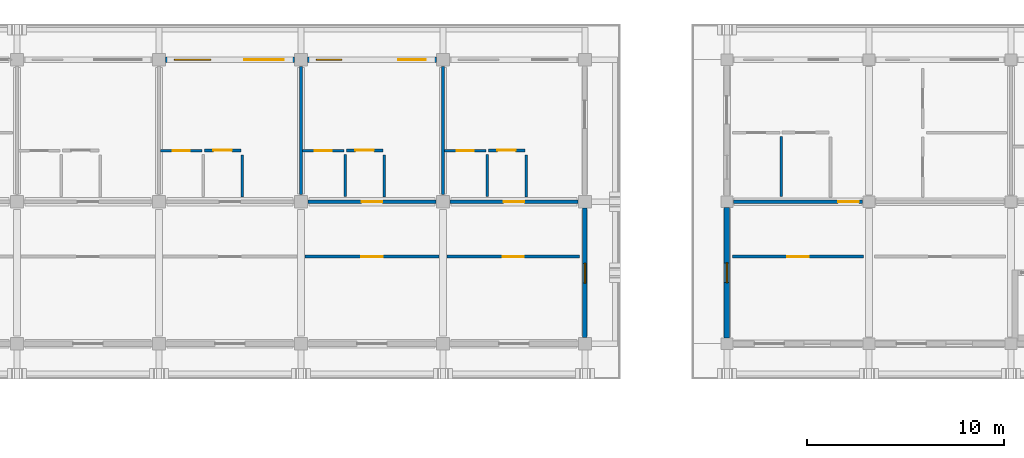
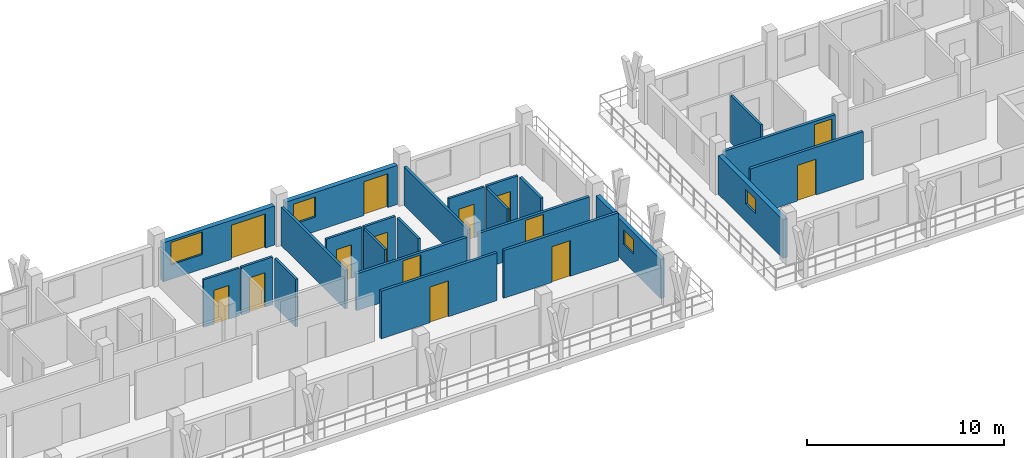
# One storey, part 126 of 157: 24 walls, 14 doors, 4 windows, 18 openings.
"""IFC4 building model written with IfcOpenShell, lengths in metres."""

from ifc_helpers import new_model, si_unit, direction, frame, frame_2d, origin, place, context, subcontext, project, spatial, rectangle, extrude, material, layer, layer_set, type_object, element, fill, save


model = new_model("IFC4")

# Units and contexts
model_context = context("Model", 3, precision=1e-05, world=origin(), true_north=direction((0.0, 1.0)))
body_context = subcontext(model_context, "Body", "Model", "MODEL_VIEW")
ifc_project = project(units=[si_unit("LENGTHUNIT", "METRE"), si_unit("AREAUNIT", "SQUARE_METRE"), si_unit("VOLUMEUNIT", "CUBIC_METRE"), si_unit("PLANEANGLEUNIT", "RADIAN"), si_unit("MASSUNIT", "GRAM", prefix="KILO")], contexts=[model_context])

# Site, building, storey
site_placement = place(None, origin())
site = spatial("IfcSite", under=ifc_project, at=site_placement, CompositionType="ELEMENT")
building_placement = place(site_placement, origin())
building = spatial("IfcBuilding", under=site, at=building_placement, Name="Suanplinth Sawtooth Commons", CompositionType="ELEMENT")
storey_placement = place(building_placement, frame((0.0, 0.0, 9.0)))
storey = spatial("IfcBuildingStorey", under=building, at=storey_placement, Name="L02", CompositionType="ELEMENT", Elevation=9.0)

# Wall, openings, door, window
ifc_material_1 = material(Name="Precast concrete C40/50", Category="concrete")
ifc_layer_1 = layer(ifc_material_1, 0.280029296875, Name="Insulated precast architectural facade wall 280mm")
ifc_layer_set_1 = layer_set([ifc_layer_1], Name="Precast concrete C40/50")
wall_type_1 = type_object("IfcWallType", Name="W-EX01", PredefinedType="ELEMENTEDWALL", material=ifc_layer_set_1)
wall_1_placement = place(storey_placement, frame((93.925048828125, 122.39990234375, 0.0), z_axis=(0.0, 0.0, 1.0), x_axis=(1.0, 0.0, 0.0)))
wall_1 = element("IfcWall", 1, at=wall_1_placement, inside=storey, type_object=wall_type_1, Name="Facade Wall W-L02-A-N-13", PredefinedType="ELEMENTEDWALL", context=body_context, shape_type="SweptSolid", body=[
    extrude(rectangle(XDim=6.550048828125, YDim=0.280029296875, at=frame_2d((3.27490234375, 0.0))), origin(), (0.0, 0.0, 1.0), 2.425048828125),
])
opening_1_placement = place(wall_1_placement, frame((4.0, 0.0, 0.0)))
opening_1 = element("IfcOpeningElement", 2, at=opening_1_placement, cuts=wall_1, Name="Opening ED0147", PredefinedType="OPENING", context=body_context, shape_type="SweptSolid", body=[
    extrude(rectangle(XDim=2.0, YDim=2.1201171875, at=frame_2d((1.0, 1.06005859375))), frame((0.0, 0.15478515625, 0.0), z_axis=(0.0, -1.0, 0.0), x_axis=(1.0, 0.0, 0.0)), (0.0, 0.0, 1.0), 0.309814453125),
])
opening_2_placement = place(wall_1_placement, frame((0.449951171875, 0.0, 0.89990234375)))
opening_2 = element("IfcOpeningElement", 3, at=opening_2_placement, cuts=wall_1, Name="Opening W0263", PredefinedType="OPENING", context=body_context, shape_type="SweptSolid", body=[
    extrude(rectangle(XDim=1.85009765625, YDim=1.39990234375, at=frame_2d((0.925048828125, 0.699951171875))), frame((0.0, 0.15478515625, 0.0), z_axis=(0.0, -1.0, 0.0), x_axis=(1.0, 0.0, 0.0)), (0.0, 0.0, 1.0), 0.309814453125),
])
ifc_material_2 = material(Name="Anodized aluminium and low-E glass", Category="aluminium")
door_type_1 = type_object("IfcDoorType", Name="SD-06", OperationType="DOUBLE_DOOR_SLIDING", PredefinedType="DOOR", material=ifc_material_2)
door_1_placement = place(opening_1_placement, frame((2.0, 0.0, 0.0), z_axis=(0.0, 0.0, 1.0), x_axis=(-1.0, 0.0, 0.0)))
door_1 = element("IfcDoor", 4, at=door_1_placement, inside=storey, type_object=door_type_1, Name="Balcony Sliding Door L02-A-N-13", OperationType="DOUBLE_DOOR_SLIDING", OverallHeight=2.1201171875, OverallWidth=2.0, PredefinedType="DOOR", context=body_context, shape_type="SweptSolid", body=[
    extrude(rectangle(XDim=2.0, YDim=2.1201171875, at=frame_2d((1.0, 1.06005859375))), frame((0.0, 0.02490234375, 0.0), z_axis=(0.0, -1.0, 0.0), x_axis=(1.0, 0.0, 0.0)), (0.0, 0.0, 1.0), 0.050048828125),
])
fill(opening_1, door_1)
ifc_material_3 = material(Name="Thermally broken aluminium and low-E double glazing", Category="aluminium")
window_type_1 = type_object("IfcWindowType", Name="WN-23", PartitioningType="DOUBLE_PANEL_VERTICAL", PredefinedType="WINDOW", material=ifc_material_3)
window_1_placement = place(opening_2_placement, origin())
window_1 = element("IfcWindow", 5, at=window_1_placement, inside=storey, type_object=window_type_1, Name="Window L02-A-N-13", OverallHeight=1.39990234375, OverallWidth=1.85009765625, PartitioningType="DOUBLE_PANEL_VERTICAL", PredefinedType="WINDOW", context=body_context, shape_type="SweptSolid", body=[
    extrude(rectangle(XDim=1.85009765625, YDim=1.39990234375, at=frame_2d((0.925048828125, 0.699951171875))), frame((0.0, 0.030029296875, 0.0), z_axis=(0.0, -1.0, 0.0), x_axis=(1.0, 0.0, 0.0)), (0.0, 0.0, 1.0), 0.06005859375),
])
fill(opening_2, window_1)

wall_2_placement = place(storey_placement, frame((101.125, 122.39990234375, 0.0), z_axis=(0.0, 0.0, 1.0), x_axis=(1.0, 0.0, 0.0)))
wall_2 = element("IfcWall", 6, at=wall_2_placement, inside=storey, type_object=wall_type_1, Name="Facade Wall W-L02-A-N-14", PredefinedType="ELEMENTEDWALL", context=body_context, shape_type="SweptSolid", body=[
    extrude(rectangle(XDim=6.550048828125, YDim=0.280029296875, at=frame_2d((3.27490234375, 0.0))), origin(), (0.0, 0.0, 1.0), 2.425048828125),
])
opening_3_placement = place(wall_2_placement, frame((4.60009765625, 0.0, 0.0)))
opening_3 = element("IfcOpeningElement", 7, at=opening_3_placement, cuts=wall_2, Name="Opening ED0149", PredefinedType="OPENING", context=body_context, shape_type="SweptSolid", body=[
    extrude(rectangle(XDim=1.39990234375, YDim=2.10009765625, at=frame_2d((0.699951171875, 1.050048828125))), frame((0.0, 0.15478515625, 0.0), z_axis=(0.0, -1.0, 0.0), x_axis=(1.0, 0.0, 0.0)), (0.0, 0.0, 1.0), 0.309814453125),
])
opening_4_placement = place(wall_2_placement, frame((0.449951171875, 0.0, 0.89990234375)))
opening_4 = element("IfcOpeningElement", 8, at=opening_4_placement, cuts=wall_2, Name="Opening W0264", PredefinedType="OPENING", context=body_context, shape_type="SweptSolid", body=[
    extrude(rectangle(XDim=1.300048828125, YDim=1.25, at=frame_2d((0.64990234375, 0.625))), frame((0.0, 0.15478515625, 0.0), z_axis=(0.0, -1.0, 0.0), x_axis=(1.0, 0.0, 0.0)), (0.0, 0.0, 1.0), 0.309814453125),
])
door_type_2 = type_object("IfcDoorType", Name="SD-07", OperationType="SLIDING_TO_RIGHT", PredefinedType="DOOR", material=ifc_material_2)
door_2_placement = place(opening_3_placement, frame((1.39990234375, 0.0, 0.0), z_axis=(0.0, 0.0, 1.0), x_axis=(-1.0, 0.0, 0.0)))
door_2 = element("IfcDoor", 9, at=door_2_placement, inside=storey, type_object=door_type_2, Name="Balcony Sliding Door L02-A-N-14", OperationType="SLIDING_TO_RIGHT", OverallHeight=2.10009765625, OverallWidth=1.39990234375, PredefinedType="DOOR", context=body_context, shape_type="SweptSolid", body=[
    extrude(rectangle(XDim=1.39990234375, YDim=2.10009765625, at=frame_2d((0.699951171875, 1.050048828125))), frame((0.0, 0.02490234375, 0.0), z_axis=(0.0, -1.0, 0.0), x_axis=(1.0, 0.0, 0.0)), (0.0, 0.0, 1.0), 0.050048828125),
])
fill(opening_3, door_2)
window_type_2 = type_object("IfcWindowType", Name="WN-24", PartitioningType="SINGLE_PANEL", PredefinedType="WINDOW", material=ifc_material_3)
window_2_placement = place(opening_4_placement, origin())
window_2 = element("IfcWindow", 10, at=window_2_placement, inside=storey, type_object=window_type_2, Name="Window L02-A-N-14", OverallHeight=1.25, OverallWidth=1.300048828125, PartitioningType="SINGLE_PANEL", PredefinedType="WINDOW", context=body_context, shape_type="SweptSolid", body=[
    extrude(rectangle(XDim=1.300048828125, YDim=1.25, at=frame_2d((0.64990234375, 0.625))), frame((0.0, 0.030029296875, 0.0), z_axis=(0.0, -1.0, 0.0), x_axis=(1.0, 0.0, 0.0)), (0.0, 0.0, 1.0), 0.06005859375),
])
fill(opening_4, window_2)

# Wall, opening, window
wall_3_placement = place(storey_placement, frame((122.39990234375, 108.300048828125, 0.0), z_axis=(0.0, 0.0, 1.0), x_axis=(0.0, 1.0, 0.0)))
wall_3 = element("IfcWall", 11, at=wall_3_placement, inside=storey, type_object=wall_type_1, Name="Facade Wall W-L02-B-W-17-15", PredefinedType="ELEMENTEDWALL", context=body_context, shape_type="SweptSolid", body=[
    extrude(rectangle(XDim=6.599853515625, YDim=0.280029296875, at=frame_2d((3.2998046875, 0.0))), origin(), (0.0, 0.0, 1.0), 2.39501953125),
])
opening_5_placement = place(wall_3_placement, frame((2.800048828125, 0.0, 1.10009765625)))
opening_5 = element("IfcOpeningElement", 12, at=opening_5_placement, cuts=wall_3, Name="Opening W0269", PredefinedType="OPENING", context=body_context, shape_type="SweptSolid", body=[
    extrude(rectangle(XDim=1.0, YDim=0.89990234375, at=frame_2d((0.5, 0.449951171875))), frame((0.0, 0.15478515625, 0.0), z_axis=(0.0, -1.0, 0.0), x_axis=(1.0, 0.0, 0.0)), (0.0, 0.0, 1.0), 0.309814453125),
])
window_type_3 = type_object("IfcWindowType", Name="WN-12", PartitioningType="SINGLE_PANEL", PredefinedType="WINDOW", material=ifc_material_3)
window_3_placement = place(opening_5_placement, origin())
window_3 = element("IfcWindow", 13, at=window_3_placement, inside=storey, type_object=window_type_3, Name="End Window L02-B-W-17-15", OverallHeight=0.89990234375, OverallWidth=1.0, PartitioningType="SINGLE_PANEL", PredefinedType="WINDOW", context=body_context, shape_type="SweptSolid", body=[
    extrude(rectangle(XDim=1.0, YDim=0.89990234375, at=frame_2d((0.5, 0.449951171875))), frame((0.0, 0.030029296875, 0.0), z_axis=(0.0, -1.0, 0.0), x_axis=(1.0, 0.0, 0.0)), (0.0, 0.0, 1.0), 0.06005859375),
])
fill(opening_5, window_3)

ifc_layer_2 = layer(ifc_material_1, 0.22998046875, Name="Stepped terrace insulated precast wall 230mm")
ifc_layer_set_2 = layer_set([ifc_layer_2], Name="Precast concrete C40/50")
wall_type_2 = type_object("IfcWallType", Name="W-EX06", PredefinedType="ELEMENTEDWALL", material=ifc_layer_set_2)
wall_4_placement = place(storey_placement, frame((115.199951171875, 108.324951171875, 0.0), z_axis=(0.0, 0.0, 1.0), x_axis=(0.0, 1.0, 0.0)))
wall_4 = element("IfcWall", 14, at=wall_4_placement, inside=storey, type_object=wall_type_2, Name="End Wall W-L02-A-E-15", PredefinedType="ELEMENTEDWALL", context=body_context, shape_type="SweptSolid", body=[
    extrude(rectangle(XDim=6.550048828125, YDim=0.22998046875, at=frame_2d((3.27490234375, 0.0))), origin(), (0.0, 0.0, 1.0), 2.425048828125),
])
opening_6_placement = place(wall_4_placement, frame((2.75, 0.0, 1.10009765625)))
opening_6 = element("IfcOpeningElement", 15, at=opening_6_placement, cuts=wall_4, Name="Opening W0267", PredefinedType="OPENING", context=body_context, shape_type="SweptSolid", body=[
    extrude(rectangle(XDim=1.0, YDim=0.89990234375, at=frame_2d((0.5, 0.449951171875))), frame((0.0, 0.1298828125, 0.0), z_axis=(0.0, -1.0, 0.0), x_axis=(1.0, 0.0, 0.0)), (0.0, 0.0, 1.0), 0.259765625),
])
window_4_placement = place(opening_6_placement, origin())
window_4 = element("IfcWindow", 16, at=window_4_placement, inside=storey, type_object=window_type_3, Name="End Window L02-A-E-15", OverallHeight=0.89990234375, OverallWidth=1.0, PartitioningType="SINGLE_PANEL", PredefinedType="WINDOW", context=body_context, shape_type="SweptSolid", body=[
    extrude(rectangle(XDim=1.0, YDim=0.89990234375, at=frame_2d((0.5, 0.449951171875))), frame((0.0, 0.030029296875, 0.0), z_axis=(0.0, -1.0, 0.0), x_axis=(1.0, 0.0, 0.0)), (0.0, 0.0, 1.0), 0.06005859375),
])
fill(opening_6, window_4)

# Wall, opening, door
ifc_layer_3 = layer(ifc_material_1, 0.159912109375, Name="Fire-rated corridor and lobby wall 160mm")
ifc_layer_set_3 = layer_set([ifc_layer_3], Name="Precast concrete C40/50")
wall_type_3 = type_object("IfcWallType", Name="W-FW01", PredefinedType="PARTITIONING", material=ifc_layer_set_3)
wall_5_placement = place(storey_placement, frame((101.155029296875, 115.199951171875, 0.0), z_axis=(0.0, 0.0, 1.0), x_axis=(1.0, 0.0, 0.0)))
wall_5 = element("IfcWall", 17, at=wall_5_placement, inside=storey, type_object=wall_type_3, Name="W-A-L02-U12-COR", PredefinedType="PARTITIONING", context=body_context, shape_type="SweptSolid", body=[
    extrude(rectangle(XDim=6.489990234375, YDim=0.159912109375, at=frame_2d((3.2451171875, 0.0))), origin(), (0.0, 0.0, 1.0), 2.294921875),
])
opening_7_placement = place(wall_5_placement, frame((2.719970703125, 0.0, 0.0)))
opening_7 = element("IfcOpeningElement", 18, at=opening_7_placement, cuts=wall_5, Name="Opening FD0727", PredefinedType="OPENING", context=body_context, shape_type="SweptSolid", body=[
    extrude(rectangle(XDim=1.050048828125, YDim=2.14990234375, at=frame_2d((0.52490234375, 1.074951171875))), frame((0.0, 0.0947265625, 0.0), z_axis=(0.0, -1.0, 0.0), x_axis=(1.0, 0.0, 0.0)), (0.0, 0.0, 1.0), 0.189697265625),
])
ifc_material_4 = material(Name="Teak hardwood fire-rated door assembly", Category="wood")
door_type_3 = type_object("IfcDoorType", Name="FD-04", OperationType="NOTDEFINED", PredefinedType="DOOR", material=ifc_material_4)
door_3_placement = place(opening_7_placement, origin())
door_3 = element("IfcDoor", 19, at=door_3_placement, inside=storey, type_object=door_type_3, Name="Unit Entrance Door FD0727", OperationType="SINGLE_SWING_LEFT", OverallHeight=2.14990234375, OverallWidth=1.050048828125, PredefinedType="DOOR", context=body_context, shape_type="SweptSolid", body=[
    extrude(rectangle(XDim=1.050048828125, YDim=2.14990234375, at=frame_2d((0.52490234375, 1.074951171875))), frame((0.0, 0.02490234375, 0.0), z_axis=(0.0, -1.0, 0.0), x_axis=(1.0, 0.0, 0.0)), (0.0, 0.0, 1.0), 0.050048828125),
])
fill(opening_7, door_3)

wall_6_placement = place(storey_placement, frame((108.35498046875, 115.199951171875, 0.0), z_axis=(0.0, 0.0, 1.0), x_axis=(1.0, 0.0, 0.0)))
wall_6 = element("IfcWall", 20, at=wall_6_placement, inside=storey, type_object=wall_type_3, Name="W-A-L02-U13-COR", PredefinedType="PARTITIONING", context=body_context, shape_type="SweptSolid", body=[
    extrude(rectangle(XDim=6.489990234375, YDim=0.159912109375, at=frame_2d((3.2451171875, 0.0))), origin(), (0.0, 0.0, 1.0), 2.294921875),
])
opening_8_placement = place(wall_6_placement, frame((2.719970703125, 0.0, 0.0)))
opening_8 = element("IfcOpeningElement", 21, at=opening_8_placement, cuts=wall_6, Name="Opening FD0730", PredefinedType="OPENING", context=body_context, shape_type="SweptSolid", body=[
    extrude(rectangle(XDim=1.050048828125, YDim=2.14990234375, at=frame_2d((0.52490234375, 1.074951171875))), frame((0.0, 0.0947265625, 0.0), z_axis=(0.0, -1.0, 0.0), x_axis=(1.0, 0.0, 0.0)), (0.0, 0.0, 1.0), 0.189697265625),
])
door_4_placement = place(opening_8_placement, origin())
door_4 = element("IfcDoor", 22, at=door_4_placement, inside=storey, type_object=door_type_3, Name="Unit Entrance Door FD0730", OperationType="SINGLE_SWING_RIGHT", OverallHeight=2.14990234375, OverallWidth=1.050048828125, PredefinedType="DOOR", context=body_context, shape_type="SweptSolid", body=[
    extrude(rectangle(XDim=1.050048828125, YDim=2.14990234375, at=frame_2d((0.52490234375, 1.074951171875))), frame((0.0, 0.02490234375, 0.0), z_axis=(0.0, -1.0, 0.0), x_axis=(1.0, 0.0, 0.0)), (0.0, 0.0, 1.0), 0.050048828125),
])
fill(opening_8, door_4)

wall_7_placement = place(storey_placement, frame((101.0, 112.419921875, 0.0), z_axis=(0.0, 0.0, 1.0), x_axis=(1.0, 0.0, 0.0)))
wall_7 = element("IfcWall", 23, at=wall_7_placement, inside=storey, type_object=wall_type_3, Name="W-A-L02-COURTROOM-23-COR", PredefinedType="PARTITIONING", context=body_context, shape_type="SweptSolid", body=[
    extrude(rectangle(XDim=6.800048828125, YDim=0.159912109375, at=frame_2d((3.39990234375, 0.0))), origin(), (0.0, 0.0, 1.0), 2.9599609375),
])
opening_9_placement = place(wall_7_placement, frame((2.860107421875, 0.0, 0.0)))
opening_9 = element("IfcOpeningElement", 24, at=opening_9_placement, cuts=wall_7, Name="Opening D0743", PredefinedType="OPENING", context=body_context, shape_type="SweptSolid", body=[
    extrude(rectangle(XDim=1.080078125, YDim=2.219970703125, at=frame_2d((0.5400390625, 1.10986328125))), frame((0.0, 0.0947265625, 0.0), z_axis=(0.0, -1.0, 0.0), x_axis=(1.0, 0.0, 0.0)), (0.0, 0.0, 1.0), 0.189697265625),
])
ifc_material_5 = material(Name="Teak hardwood", Category="wood")
door_type_4 = type_object("IfcDoorType", Name="D-17", OperationType="NOTDEFINED", PredefinedType="DOOR", material=ifc_material_5)
door_5_placement = place(opening_9_placement, frame((1.080078125, 0.0, 0.0), z_axis=(0.0, 0.0, 1.0), x_axis=(-1.0, 0.0, 0.0)))
door_5 = element("IfcDoor", 25, at=door_5_placement, inside=storey, type_object=door_type_4, Name="Study Studio Door D0743", OperationType="SINGLE_SWING_LEFT", OverallHeight=2.219970703125, OverallWidth=1.080078125, PredefinedType="DOOR", context=body_context, shape_type="SweptSolid", body=[
    extrude(rectangle(XDim=1.080078125, YDim=2.219970703125, at=frame_2d((0.5400390625, 1.10986328125))), frame((0.0, 0.02490234375, 0.0), z_axis=(0.0, -1.0, 0.0), x_axis=(1.0, 0.0, 0.0)), (0.0, 0.0, 1.0), 0.050048828125),
])
fill(opening_9, door_5)

wall_8_placement = place(storey_placement, frame((108.199951171875, 112.419921875, 0.0), z_axis=(0.0, 0.0, 1.0), x_axis=(1.0, 0.0, 0.0)))
wall_8 = element("IfcWall", 26, at=wall_8_placement, inside=storey, type_object=wall_type_3, Name="W-A-L02-COURTROOM-24-COR", PredefinedType="PARTITIONING", context=body_context, shape_type="SweptSolid", body=[
    extrude(rectangle(XDim=6.719970703125, YDim=0.159912109375, at=frame_2d((3.35986328125, 0.0))), origin(), (0.0, 0.0, 1.0), 2.9599609375),
])
opening_10_placement = place(wall_8_placement, frame((2.820068359375, 0.0, 0.0)))
opening_10 = element("IfcOpeningElement", 27, at=opening_10_placement, cuts=wall_8, Name="Opening D0744", PredefinedType="OPENING", context=body_context, shape_type="SweptSolid", body=[
    extrude(rectangle(XDim=1.080078125, YDim=2.219970703125, at=frame_2d((0.5400390625, 1.10986328125))), frame((0.0, 0.0947265625, 0.0), z_axis=(0.0, -1.0, 0.0), x_axis=(1.0, 0.0, 0.0)), (0.0, 0.0, 1.0), 0.189697265625),
])
door_6_placement = place(opening_10_placement, frame((1.080078125, 0.0, 0.0), z_axis=(0.0, 0.0, 1.0), x_axis=(-1.0, 0.0, 0.0)))
door_6 = element("IfcDoor", 28, at=door_6_placement, inside=storey, type_object=door_type_4, Name="Study Studio Door D0744", OperationType="SINGLE_SWING_RIGHT", OverallHeight=2.219970703125, OverallWidth=1.080078125, PredefinedType="DOOR", context=body_context, shape_type="SweptSolid", body=[
    extrude(rectangle(XDim=1.080078125, YDim=2.219970703125, at=frame_2d((0.5400390625, 1.10986328125))), frame((0.0, 0.02490234375, 0.0), z_axis=(0.0, -1.0, 0.0), x_axis=(1.0, 0.0, 0.0)), (0.0, 0.0, 1.0), 0.050048828125),
])
fill(opening_10, door_6)

wall_9_placement = place(storey_placement, frame((122.72998046875, 115.199951171875, 0.0), z_axis=(0.0, 0.0, 1.0), x_axis=(1.0, 0.0, 0.0)))
wall_9 = element("IfcWall", 29, at=wall_9_placement, inside=storey, type_object=wall_type_3, Name="W-B-L02-U01-COR-S1", PredefinedType="PARTITIONING", context=body_context, shape_type="SweptSolid", body=[
    extrude(rectangle(XDim=6.5400390625, YDim=0.159912109375, at=frame_2d((3.27001953125, 0.0))), origin(), (0.0, 0.0, 1.0), 2.344970703125),
])
opening_11_placement = place(wall_9_placement, frame((5.31005859375, 0.0, 0.0)))
opening_11 = element("IfcOpeningElement", 30, at=opening_11_placement, cuts=wall_9, Name="Opening FD0745", PredefinedType="OPENING", context=body_context, shape_type="SweptSolid", body=[
    extrude(rectangle(XDim=1.050048828125, YDim=2.14990234375, at=frame_2d((0.52490234375, 1.074951171875))), frame((0.0, 0.0947265625, 0.0), z_axis=(0.0, -1.0, 0.0), x_axis=(1.0, 0.0, 0.0)), (0.0, 0.0, 1.0), 0.189697265625),
])
door_7_placement = place(opening_11_placement, origin())
door_7 = element("IfcDoor", 31, at=door_7_placement, inside=storey, type_object=door_type_3, Name="Unit Entrance Door FD0745", OperationType="SINGLE_SWING_LEFT", OverallHeight=2.14990234375, OverallWidth=1.050048828125, PredefinedType="DOOR", context=body_context, shape_type="SweptSolid", body=[
    extrude(rectangle(XDim=1.050048828125, YDim=2.14990234375, at=frame_2d((0.52490234375, 1.074951171875))), frame((0.0, 0.02490234375, 0.0), z_axis=(0.0, -1.0, 0.0), x_axis=(1.0, 0.0, 0.0)), (0.0, 0.0, 1.0), 0.050048828125),
])
fill(opening_11, door_7)

wall_10_placement = place(storey_placement, frame((122.679931640625, 112.419921875, 0.0), z_axis=(0.0, 0.0, 1.0), x_axis=(1.0, 0.0, 0.0)))
wall_10 = element("IfcWall", 32, at=wall_10_placement, inside=storey, type_object=wall_type_3, Name="W-B-L02-COURTROOM-31-COR", PredefinedType="PARTITIONING", context=body_context, shape_type="SweptSolid", body=[
    extrude(rectangle(XDim=6.64013671875, YDim=0.159912109375, at=frame_2d((3.320068359375, 0.0))), origin(), (0.0, 0.0, 1.0), 2.9599609375),
])
opening_12_placement = place(wall_10_placement, frame((2.780029296875, 0.0, 0.0)))
opening_12 = element("IfcOpeningElement", 33, at=opening_12_placement, cuts=wall_10, Name="Opening D0772", PredefinedType="OPENING", context=body_context, shape_type="SweptSolid", body=[
    extrude(rectangle(XDim=1.080078125, YDim=2.219970703125, at=frame_2d((0.5400390625, 1.10986328125))), frame((0.0, 0.0947265625, 0.0), z_axis=(0.0, -1.0, 0.0), x_axis=(1.0, 0.0, 0.0)), (0.0, 0.0, 1.0), 0.189697265625),
])
door_8_placement = place(opening_12_placement, frame((1.080078125, 0.0, 0.0), z_axis=(0.0, 0.0, 1.0), x_axis=(-1.0, 0.0, 0.0)))
door_8 = element("IfcDoor", 34, at=door_8_placement, inside=storey, type_object=door_type_4, Name="Study Studio Door D0772", OperationType="SINGLE_SWING_RIGHT", OverallHeight=2.219970703125, OverallWidth=1.080078125, PredefinedType="DOOR", context=body_context, shape_type="SweptSolid", body=[
    extrude(rectangle(XDim=1.080078125, YDim=2.219970703125, at=frame_2d((0.5400390625, 1.10986328125))), frame((0.0, 0.02490234375, 0.0), z_axis=(0.0, -1.0, 0.0), x_axis=(1.0, 0.0, 0.0)), (0.0, 0.0, 1.0), 0.050048828125),
])
fill(opening_12, door_8)

# Walls
ifc_layer_4 = layer(ifc_material_1, 0.14990234375, Name="Acoustic precast party demising wall 150mm")
ifc_layer_set_4 = layer_set([ifc_layer_4], Name="Precast concrete C40/50")
wall_type_4 = type_object("IfcWallType", Name="W-FW02", PredefinedType="PARTITIONING", material=ifc_layer_set_4)
for number, where, z_axis, x_axis, name in (
    (35, (100.800048828125, 115.554931640625, 0.0), (0.0, 0.0, 1.0), (0.0, 1.0, 0.0), "W-A-L02-U11-PTY"),
    (36, (108.0, 115.554931640625, 0.0), (0.0, 0.0, 1.0), (0.0, 1.0, 0.0), "W-A-L02-U12-PTY"),
):
    element("IfcWall", number, at=place(storey_placement, frame(where, z_axis=z_axis, x_axis=x_axis)), inside=storey, type_object=wall_type_4, Name=name, PredefinedType="PARTITIONING", context=body_context, shape_type="SweptSolid", body=[
        extrude(rectangle(XDim=6.489990234375, YDim=0.14990234375, at=frame_2d((3.2451171875, 0.0))), origin(), (0.0, 0.0, 1.0), 2.39501953125),
    ])

# Wall, opening, door
ifc_material_6 = material(Name="Gypsum plasterboard on steel stud", Category="steel")
ifc_layer_5 = layer(ifc_material_6, 0.139892578125, Name="Fire-rated kitchen partition 140mm")
ifc_layer_set_5 = layer_set([ifc_layer_5], Name="Gypsum plasterboard on steel stud")
wall_type_5 = type_object("IfcWallType", Name="W-PT01", PredefinedType="PARTITIONING", material=ifc_layer_set_5)
wall_11_placement = place(storey_placement, frame((95.89990234375, 117.800048828125, 0.0), z_axis=(0.0, 0.0, 1.0), x_axis=(1.0, 0.0, 0.0)))
wall_11 = element("IfcWall", 37, at=wall_11_placement, inside=storey, type_object=wall_type_5, Name="W-A-L02-U11-KIT1", PredefinedType="PARTITIONING", context=body_context, shape_type="SweptSolid", body=[
    extrude(rectangle(XDim=1.85009765625, YDim=0.139892578125, at=frame_2d((0.925048828125, 0.0))), origin(), (0.0, 0.0, 1.0), 2.9599609375),
])
opening_13_placement = place(wall_11_placement, frame((0.4599609375, 0.0, 0.0)))
opening_13 = element("IfcOpeningElement", 38, at=opening_13_placement, cuts=wall_11, Name="Opening D0726", PredefinedType="OPENING", context=body_context, shape_type="SweptSolid", body=[
    extrude(rectangle(XDim=0.929931640625, YDim=2.139892578125, at=frame_2d((0.46484375, 1.06982421875))), frame((0.0, 0.0849609375, 0.0), z_axis=(0.0, -1.0, 0.0), x_axis=(1.0, 0.0, 0.0)), (0.0, 0.0, 1.0), 0.169677734375),
])
door_type_5 = type_object("IfcDoorType", Name="D-19", OperationType="NOTDEFINED", PredefinedType="DOOR", material=ifc_material_5)
door_9_placement = place(opening_13_placement, frame((0.929931640625, 0.0, 0.0), z_axis=(0.0, 0.0, 1.0), x_axis=(-1.0, 0.0, 0.0)))
door_9 = element("IfcDoor", 39, at=door_9_placement, inside=storey, type_object=door_type_5, Name="Kitchen Door D0726", OperationType="SINGLE_SWING_RIGHT", OverallHeight=2.139892578125, OverallWidth=0.929931640625, PredefinedType="DOOR", context=body_context, shape_type="SweptSolid", body=[
    extrude(rectangle(XDim=0.929931640625, YDim=2.139892578125, at=frame_2d((0.46484375, 1.06982421875))), frame((0.0, 0.02490234375, 0.0), z_axis=(0.0, -1.0, 0.0), x_axis=(1.0, 0.0, 0.0)), (0.0, 0.0, 1.0), 0.050048828125),
])
fill(opening_13, door_9)

# Wall
wall_12_placement = place(storey_placement, frame((97.820068359375, 115.429931640625, 0.0), z_axis=(0.0, 0.0, 1.0), x_axis=(0.0, 1.0, 0.0)))
element("IfcWall", 40, at=wall_12_placement, inside=storey, type_object=wall_type_5, Name="W-A-L02-U11-KIT2", PredefinedType="PARTITIONING", context=body_context, shape_type="SweptSolid", body=[
    extrude(rectangle(XDim=2.150146484375, YDim=0.139892578125, at=frame_2d((1.0751953125, 0.0))), origin(), (0.0, 0.0, 1.0), 2.9599609375),
])

# Wall, opening, door
wall_13_placement = place(storey_placement, frame((103.10009765625, 117.800048828125, 0.0), z_axis=(0.0, 0.0, 1.0), x_axis=(1.0, 0.0, 0.0)))
wall_13 = element("IfcWall", 41, at=wall_13_placement, inside=storey, type_object=wall_type_5, Name="W-A-L02-U12-KIT1", PredefinedType="PARTITIONING", context=body_context, shape_type="SweptSolid", body=[
    extrude(rectangle(XDim=1.849853515625, YDim=0.139892578125, at=frame_2d((0.9248046875, 0.0))), origin(), (0.0, 0.0, 1.0), 2.9599609375),
])
opening_14_placement = place(wall_13_placement, frame((0.4599609375, 0.0, 0.0)))
opening_14 = element("IfcOpeningElement", 42, at=opening_14_placement, cuts=wall_13, Name="Opening D0729", PredefinedType="OPENING", context=body_context, shape_type="SweptSolid", body=[
    extrude(rectangle(XDim=0.929931640625, YDim=2.139892578125, at=frame_2d((0.46484375, 1.06982421875))), frame((0.0, 0.0849609375, 0.0), z_axis=(0.0, -1.0, 0.0), x_axis=(1.0, 0.0, 0.0)), (0.0, 0.0, 1.0), 0.169677734375),
])
door_10_placement = place(opening_14_placement, frame((0.929931640625, 0.0, 0.0), z_axis=(0.0, 0.0, 1.0), x_axis=(-1.0, 0.0, 0.0)))
door_10 = element("IfcDoor", 43, at=door_10_placement, inside=storey, type_object=door_type_5, Name="Kitchen Door D0729", OperationType="SINGLE_SWING_LEFT", OverallHeight=2.139892578125, OverallWidth=0.929931640625, PredefinedType="DOOR", context=body_context, shape_type="SweptSolid", body=[
    extrude(rectangle(XDim=0.929931640625, YDim=2.139892578125, at=frame_2d((0.46484375, 1.06982421875))), frame((0.0, 0.02490234375, 0.0), z_axis=(0.0, -1.0, 0.0), x_axis=(1.0, 0.0, 0.0)), (0.0, 0.0, 1.0), 0.050048828125),
])
fill(opening_14, door_10)

# Wall
wall_14_placement = place(storey_placement, frame((105.02001953125, 115.429931640625, 0.0), z_axis=(0.0, 0.0, 1.0), x_axis=(0.0, 1.0, 0.0)))
element("IfcWall", 44, at=wall_14_placement, inside=storey, type_object=wall_type_5, Name="W-A-L02-U12-KIT2", PredefinedType="PARTITIONING", context=body_context, shape_type="SweptSolid", body=[
    extrude(rectangle(XDim=2.150146484375, YDim=0.139892578125, at=frame_2d((1.0751953125, 0.0))), origin(), (0.0, 0.0, 1.0), 2.9599609375),
])

# Wall, opening, door
wall_15_placement = place(storey_placement, frame((110.300048828125, 117.800048828125, 0.0), z_axis=(0.0, 0.0, 1.0), x_axis=(1.0, 0.0, 0.0)))
wall_15 = element("IfcWall", 45, at=wall_15_placement, inside=storey, type_object=wall_type_5, Name="W-A-L02-U13-KIT1", PredefinedType="PARTITIONING", context=body_context, shape_type="SweptSolid", body=[
    extrude(rectangle(XDim=1.849853515625, YDim=0.139892578125, at=frame_2d((0.9248046875, 0.0))), origin(), (0.0, 0.0, 1.0), 2.9599609375),
])
opening_15_placement = place(wall_15_placement, frame((0.4599609375, 0.0, 0.0)))
opening_15 = element("IfcOpeningElement", 46, at=opening_15_placement, cuts=wall_15, Name="Opening D0732", PredefinedType="OPENING", context=body_context, shape_type="SweptSolid", body=[
    extrude(rectangle(XDim=0.929931640625, YDim=2.139892578125, at=frame_2d((0.46484375, 1.06982421875))), frame((0.0, 0.0849609375, 0.0), z_axis=(0.0, -1.0, 0.0), x_axis=(1.0, 0.0, 0.0)), (0.0, 0.0, 1.0), 0.169677734375),
])
door_11_placement = place(opening_15_placement, frame((0.929931640625, 0.0, 0.0), z_axis=(0.0, 0.0, 1.0), x_axis=(-1.0, 0.0, 0.0)))
door_11 = element("IfcDoor", 47, at=door_11_placement, inside=storey, type_object=door_type_5, Name="Kitchen Door D0732", OperationType="SINGLE_SWING_RIGHT", OverallHeight=2.139892578125, OverallWidth=0.929931640625, PredefinedType="DOOR", context=body_context, shape_type="SweptSolid", body=[
    extrude(rectangle(XDim=0.929931640625, YDim=2.139892578125, at=frame_2d((0.46484375, 1.06982421875))), frame((0.0, 0.02490234375, 0.0), z_axis=(0.0, -1.0, 0.0), x_axis=(1.0, 0.0, 0.0)), (0.0, 0.0, 1.0), 0.050048828125),
])
fill(opening_15, door_11)

# Wall
wall_16_placement = place(storey_placement, frame((112.219970703125, 115.429931640625, 0.0), z_axis=(0.0, 0.0, 1.0), x_axis=(0.0, 1.0, 0.0)))
element("IfcWall", 48, at=wall_16_placement, inside=storey, type_object=wall_type_5, Name="W-A-L02-U13-KIT2", PredefinedType="PARTITIONING", context=body_context, shape_type="SweptSolid", body=[
    extrude(rectangle(XDim=2.150146484375, YDim=0.139892578125, at=frame_2d((1.0751953125, 0.0))), origin(), (0.0, 0.0, 1.0), 2.9599609375),
])

# Wall, opening, door
ifc_layer_6 = layer(ifc_material_6, 0.1298828125, Name="Moisture-resistant bathroom partition 130mm")
ifc_layer_set_6 = layer_set([ifc_layer_6], Name="Gypsum plasterboard on steel stud")
wall_type_6 = type_object("IfcWallType", Name="W-PT02", PredefinedType="PARTITIONING", material=ifc_layer_set_6)
wall_17_placement = place(storey_placement, frame((93.679931640625, 117.794921875, 0.0), z_axis=(0.0, 0.0, 1.0), x_axis=(1.0, 0.0, 0.0)))
wall_17 = element("IfcWall", 49, at=wall_17_placement, inside=storey, type_object=wall_type_6, Name="W-A-L02-U11-BTH1", PredefinedType="PARTITIONING", context=body_context, shape_type="SweptSolid", body=[
    extrude(rectangle(XDim=2.10009765625, YDim=0.1298828125, at=frame_2d((1.050048828125, 0.0))), origin(), (0.0, 0.0, 1.0), 2.9599609375),
])
opening_16_placement = place(wall_17_placement, frame((0.610107421875, 0.0, 0.0)))
opening_16 = element("IfcOpeningElement", 50, at=opening_16_placement, cuts=wall_17, Name="Opening D0725", PredefinedType="OPENING", context=body_context, shape_type="SweptSolid", body=[
    extrude(rectangle(XDim=0.8798828125, YDim=2.10009765625, at=frame_2d((0.43994140625, 1.050048828125))), frame((0.0, 0.079833984375, 0.0), z_axis=(0.0, -1.0, 0.0), x_axis=(1.0, 0.0, 0.0)), (0.0, 0.0, 1.0), 0.15966796875),
])
door_type_6 = type_object("IfcDoorType", Name="D-14", OperationType="NOTDEFINED", PredefinedType="DOOR", material=ifc_material_5)
door_12_placement = place(opening_16_placement, frame((0.8798828125, 0.0, 0.0), z_axis=(0.0, 0.0, 1.0), x_axis=(-1.0, 0.0, 0.0)))
door_12 = element("IfcDoor", 51, at=door_12_placement, inside=storey, type_object=door_type_6, Name="Bathroom Door D0725", OperationType="SINGLE_SWING_LEFT", OverallHeight=2.10009765625, OverallWidth=0.8798828125, PredefinedType="DOOR", context=body_context, shape_type="SweptSolid", body=[
    extrude(rectangle(XDim=0.8798828125, YDim=2.10009765625, at=frame_2d((0.43994140625, 1.050048828125))), frame((0.0, 0.02490234375, 0.0), z_axis=(0.0, -1.0, 0.0), x_axis=(1.0, 0.0, 0.0)), (0.0, 0.0, 1.0), 0.050048828125),
])
fill(opening_16, door_12)

wall_18_placement = place(storey_placement, frame((100.8798828125, 117.794921875, 0.0), z_axis=(0.0, 0.0, 1.0), x_axis=(1.0, 0.0, 0.0)))
wall_18 = element("IfcWall", 52, at=wall_18_placement, inside=storey, type_object=wall_type_6, Name="W-A-L02-U12-BTH1", PredefinedType="PARTITIONING", context=body_context, shape_type="SweptSolid", body=[
    extrude(rectangle(XDim=2.10009765625, YDim=0.1298828125, at=frame_2d((1.050048828125, 0.0))), origin(), (0.0, 0.0, 1.0), 2.9599609375),
])
opening_17_placement = place(wall_18_placement, frame((0.610107421875, 0.0, 0.0)))
opening_17 = element("IfcOpeningElement", 53, at=opening_17_placement, cuts=wall_18, Name="Opening D0728", PredefinedType="OPENING", context=body_context, shape_type="SweptSolid", body=[
    extrude(rectangle(XDim=0.8798828125, YDim=2.10009765625, at=frame_2d((0.43994140625, 1.050048828125))), frame((0.0, 0.079833984375, 0.0), z_axis=(0.0, -1.0, 0.0), x_axis=(1.0, 0.0, 0.0)), (0.0, 0.0, 1.0), 0.15966796875),
])
door_13_placement = place(opening_17_placement, frame((0.8798828125, 0.0, 0.0), z_axis=(0.0, 0.0, 1.0), x_axis=(-1.0, 0.0, 0.0)))
door_13 = element("IfcDoor", 54, at=door_13_placement, inside=storey, type_object=door_type_6, Name="Bathroom Door D0728", OperationType="SINGLE_SWING_RIGHT", OverallHeight=2.10009765625, OverallWidth=0.8798828125, PredefinedType="DOOR", context=body_context, shape_type="SweptSolid", body=[
    extrude(rectangle(XDim=0.8798828125, YDim=2.10009765625, at=frame_2d((0.43994140625, 1.050048828125))), frame((0.0, 0.02490234375, 0.0), z_axis=(0.0, -1.0, 0.0), x_axis=(1.0, 0.0, 0.0)), (0.0, 0.0, 1.0), 0.050048828125),
])
fill(opening_17, door_13)

# Wall
wall_19_placement = place(storey_placement, frame((103.044921875, 115.4599609375, 0.0), z_axis=(0.0, 0.0, 1.0), x_axis=(0.0, 1.0, 0.0)))
element("IfcWall", 55, at=wall_19_placement, inside=storey, type_object=wall_type_6, Name="W-A-L02-U12-BTH2", PredefinedType="PARTITIONING", context=body_context, shape_type="SweptSolid", body=[
    extrude(rectangle(XDim=2.130126953125, YDim=0.1298828125, at=frame_2d((1.06494140625, 0.0))), origin(), (0.0, 0.0, 1.0), 2.9599609375),
])

# Wall, opening, door
wall_20_placement = place(storey_placement, frame((108.080078125, 117.794921875, 0.0), z_axis=(0.0, 0.0, 1.0), x_axis=(1.0, 0.0, 0.0)))
wall_20 = element("IfcWall", 56, at=wall_20_placement, inside=storey, type_object=wall_type_6, Name="W-A-L02-U13-BTH1", PredefinedType="PARTITIONING", context=body_context, shape_type="SweptSolid", body=[
    extrude(rectangle(XDim=2.099853515625, YDim=0.1298828125, at=frame_2d((1.0498046875, 0.0))), origin(), (0.0, 0.0, 1.0), 2.9599609375),
])
opening_18_placement = place(wall_20_placement, frame((0.610107421875, 0.0, 0.0)))
opening_18 = element("IfcOpeningElement", 57, at=opening_18_placement, cuts=wall_20, Name="Opening D0731", PredefinedType="OPENING", context=body_context, shape_type="SweptSolid", body=[
    extrude(rectangle(XDim=0.8798828125, YDim=2.10009765625, at=frame_2d((0.43994140625, 1.050048828125))), frame((0.0, 0.079833984375, 0.0), z_axis=(0.0, -1.0, 0.0), x_axis=(1.0, 0.0, 0.0)), (0.0, 0.0, 1.0), 0.15966796875),
])
door_14_placement = place(opening_18_placement, frame((0.8798828125, 0.0, 0.0), z_axis=(0.0, 0.0, 1.0), x_axis=(-1.0, 0.0, 0.0)))
door_14 = element("IfcDoor", 58, at=door_14_placement, inside=storey, type_object=door_type_6, Name="Bathroom Door D0731", OperationType="SINGLE_SWING_LEFT", OverallHeight=2.10009765625, OverallWidth=0.8798828125, PredefinedType="DOOR", context=body_context, shape_type="SweptSolid", body=[
    extrude(rectangle(XDim=0.8798828125, YDim=2.10009765625, at=frame_2d((0.43994140625, 1.050048828125))), frame((0.0, 0.02490234375, 0.0), z_axis=(0.0, -1.0, 0.0), x_axis=(1.0, 0.0, 0.0)), (0.0, 0.0, 1.0), 0.050048828125),
])
fill(opening_18, door_14)

# Walls
wall_21_placement = place(storey_placement, frame((110.2451171875, 115.4599609375, 0.0), z_axis=(0.0, 0.0, 1.0), x_axis=(0.0, 1.0, 0.0)))
element("IfcWall", 59, at=wall_21_placement, inside=storey, type_object=wall_type_6, Name="W-A-L02-U13-BTH2", PredefinedType="PARTITIONING", context=body_context, shape_type="SweptSolid", body=[
    extrude(rectangle(XDim=2.130126953125, YDim=0.1298828125, at=frame_2d((1.06494140625, 0.0))), origin(), (0.0, 0.0, 1.0), 2.9599609375),
])
wall_22_placement = place(storey_placement, frame((125.14501953125, 115.4599609375, 0.0), z_axis=(0.0, 0.0, 1.0), x_axis=(0.0, 1.0, 0.0)))
element("IfcWall", 60, at=wall_22_placement, inside=storey, type_object=wall_type_6, Name="W-B-L02-U01-BTH2", PredefinedType="PARTITIONING", context=body_context, shape_type="SweptSolid", body=[
    extrude(rectangle(XDim=3.0400390625, YDim=0.1298828125, at=frame_2d((1.52001953125, 0.0))), origin(), (0.0, 0.0, 1.0), 2.9599609375),
])

save(model, "model.ifc")
